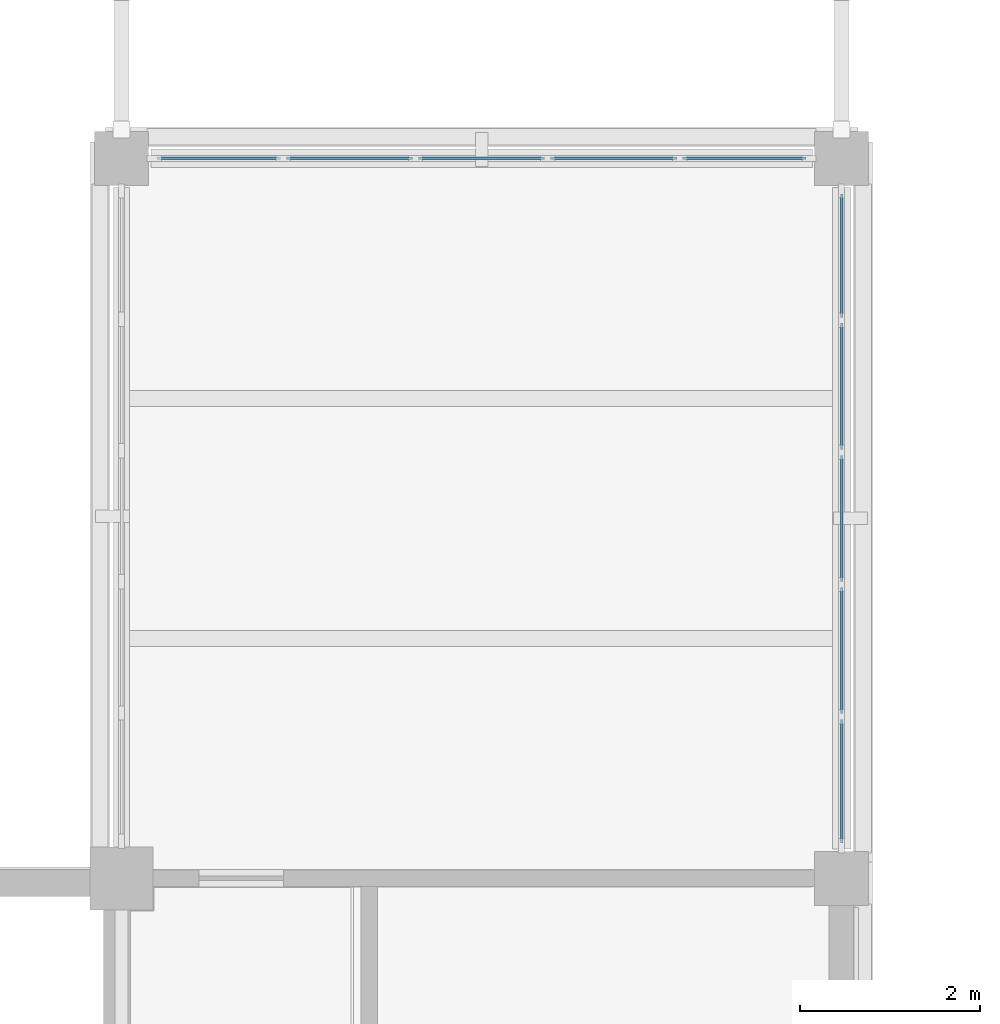
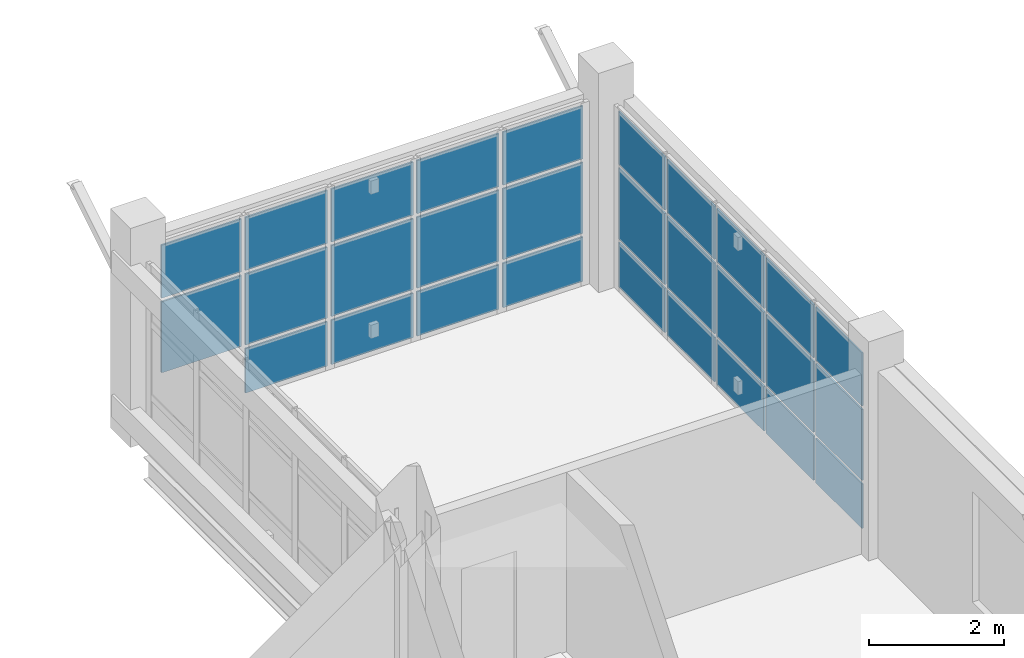
# One storey, part 16 of 35: 29 plates, 2 elements without a shape of their own.
"""IFC4 building model written with IfcOpenShell, lengths in metres."""

import ifcopenshell
import ifcopenshell.guid

model = None  # the IFC model being written
_history = None  # IfcOwnerHistory: only IFC2X3 demands one
_inside = {}  # id of a spatial element -> (the spatial element, [elements in it])
_under = {}  # id of a project, library or spatial element -> (it, [spatial elements below it])
_declared = {}  # id of a project -> (the project, [libraries it declares])
_typed = {}  # id of a type object -> (the type object, [elements of that type])
_made_of = {}  # id of a material, layer set ... -> (it, [elements and type objects made of it])


def new_model(schema):
    """Start an empty IFC model of exactly this schema.

    Asked for "IFC4X3", IfcOpenShell would pick the latest addendum, in which some entities
    have other attributes; the version numbers below select the first issue.
    IFC2X3 requires an IfcOwnerHistory on every rooted entity: one is made here for all.
    """
    global model, _history
    if schema == "IFC4X3":
        model = ifcopenshell.file(schema_version=(4, 3, 0, 0))
    else:
        model = ifcopenshell.file(schema=schema)
    _inside.clear()
    _under.clear()
    _declared.clear()
    _typed.clear()
    _made_of.clear()
    _history = None
    if model.schema == "IFC2X3":
        org = make("IfcOrganization", Name="unknown")
        user = make(
            "IfcPersonAndOrganization",
            ThePerson=make("IfcPerson", FamilyName="unknown"),
            TheOrganization=org,
        )
        app = make(
            "IfcApplication",
            ApplicationDeveloper=org,
            Version="unknown",
            ApplicationFullName="unknown",
            ApplicationIdentifier="unknown",
        )
        _history = make(
            "IfcOwnerHistory",
            OwningUser=user,
            OwningApplication=app,
            ChangeAction="ADDED",
            CreationDate=0,
        )
    return model


def make(cls, **values):
    """One entity of the class cls with the attributes given. An attribute that is None is left unset."""
    return model.create_entity(
        cls, **{name: value for name, value in values.items() if value is not None}
    )


def rooted(cls, **values):
    """An entity with a GlobalId (a new one), such as an element, a storey or a relation."""
    return make(cls, GlobalId=ifcopenshell.guid.new(), OwnerHistory=_history, **values)


def si_unit(unit_type, name, prefix=None):
    """IfcSIUnit, for example si_unit("LENGTHUNIT", "METRE", prefix="MILLI")."""
    return make("IfcSIUnit", UnitType=unit_type, Prefix=prefix, Name=name)


def derived_unit(unit_type, elements):
    """IfcDerivedUnit: a product of units, each with its exponent."""
    return make(
        "IfcDerivedUnit",
        Elements=[
            make("IfcDerivedUnitElement", Unit=unit, Exponent=power)
            for unit, power in elements
        ],
        UnitType=unit_type,
    )


def assignment(units):
    """IfcUnitAssignment: the units of a project."""
    return None if units is None else make("IfcUnitAssignment", Units=units)


def point(xyz):
    """IfcCartesianPoint."""
    return None if xyz is None else make("IfcCartesianPoint", Coordinates=xyz)


def direction(xyz):
    """IfcDirection."""
    return None if xyz is None else make("IfcDirection", DirectionRatios=xyz)


def frame(location, z_axis=None, x_axis=None):
    """IfcAxis2Placement3D, a coordinate frame: its origin and axes. An axis left out is left unset."""
    return make(
        "IfcAxis2Placement3D",
        Location=point(location),
        Axis=direction(z_axis),
        RefDirection=direction(x_axis),
    )


def frame_2d(location, x_axis=None):
    """IfcAxis2Placement2D, a coordinate frame in the plane: its origin and x axis."""
    return make(
        "IfcAxis2Placement2D", Location=point(location), RefDirection=direction(x_axis)
    )


def origin():
    """The frame at (0, 0, 0) with its axes left unset."""
    return frame((0.0, 0.0, 0.0))


def origin_2d():
    """The frame at (0, 0) in the plane with its x axis left unset."""
    return frame_2d((0.0, 0.0))


def place(relative_to, where):
    """IfcLocalPlacement: puts the frame where relative to a parent placement (None: the world)."""
    return make(
        "IfcLocalPlacement", PlacementRelTo=relative_to, RelativePlacement=where
    )


def context(
    kind, dimensions, precision=None, world=None, true_north=None, identifier=None
):
    """IfcGeometricRepresentationContext, for example the 3D "Model" context."""
    return make(
        "IfcGeometricRepresentationContext",
        ContextIdentifier=identifier,
        ContextType=kind,
        CoordinateSpaceDimension=dimensions,
        Precision=precision,
        WorldCoordinateSystem=world,
        TrueNorth=true_north,
    )


def subcontext(parent, identifier, kind, view, scale=None):
    """IfcGeometricRepresentationSubContext, for example "Body" below "Model"."""
    return make(
        "IfcGeometricRepresentationSubContext",
        ContextIdentifier=identifier,
        ContextType=kind,
        ParentContext=parent,
        TargetScale=scale,
        TargetView=view,
    )


def project(units=None, contexts=None):
    """IfcProject with its units and contexts."""
    return rooted(
        "IfcProject",
        Name="project",
        RepresentationContexts=contexts,
        UnitsInContext=assignment(units),
    )


def spatial(cls, under=None, at=None, **own):
    """A site, building, storey or space (cls), placed at a placement, below another one or the project."""
    s = rooted(cls, ObjectPlacement=at, **own)
    if under is not None:
        _under.setdefault(under.id(), (under, []))[1].append(s)
    return s


def profile(cls, at=None, kind="AREA", **sizes):
    """A parametric profile (cls). Its sizes go by their IFC names, for example OverallWidth=200.0."""
    return make(cls, ProfileType=kind, Position=at, **sizes)


def rectangle(**sizes):
    """IfcRectangleProfileDef."""
    return profile("IfcRectangleProfileDef", **sizes)


def extrude(swept, where, along, depth):
    """IfcExtrudedAreaSolid: the profile swept, set in the frame where, extruded along a direction by depth."""
    return make(
        "IfcExtrudedAreaSolid",
        SweptArea=swept,
        Position=where,
        ExtrudedDirection=direction(along),
        Depth=depth,
    )


def shape(context_of_items, identifier, shape_type, items):
    """IfcShapeRepresentation: the items that make up one representation, for example the "Body"."""
    return make(
        "IfcShapeRepresentation",
        ContextOfItems=context_of_items,
        RepresentationIdentifier=identifier,
        RepresentationType=shape_type,
        Items=items,
    )


def material(Name=None, Category=None):
    """IfcMaterial."""
    return make("IfcMaterial", Name=Name, Category=Category)


def layer(
    of_material, thickness, ventilated=None, Name=None, Category=None, Priority=None
):
    """IfcMaterialLayer: one layer of a wall or slab, of a material (None: an air gap)."""
    return make(
        "IfcMaterialLayer",
        Material=of_material,
        LayerThickness=thickness,
        IsVentilated=ventilated,
        Name=Name,
        Category=Category,
        Priority=Priority,
    )


def layer_set(layers, Name=None):
    """IfcMaterialLayerSet."""
    return make("IfcMaterialLayerSet", MaterialLayers=layers, LayerSetName=Name)


def made_of(thing, what):
    """Note that an element or type object is made of a material, layer set ...; save() writes the relation."""
    if what is not None:
        _made_of.setdefault(what.id(), (what, []))[1].append(thing)
    return thing


def type_object(cls, material=None, **own):
    """A type object (cls), such as IfcWallType, which elements share."""
    return made_of(rooted(cls, **own), material)


def element(
    cls,
    number,
    at=None,
    inside=None,
    cuts=None,
    type_object=None,
    material=None,
    context=None,
    identifier="Body",
    shape_type=None,
    held_by="IfcProductDefinitionShape",
    body=None,
    shapes=None,
    **own,
):
    """One element of the class cls, such as IfcWall. Its Tag is "e" and its number.

    at: its placement. inside: the storey or other place that contains it. cuts: it is an
    opening in that element (IfcRelVoidsElement). A single representation is given by context,
    identifier, shape_type and body (its items); several are given by shapes. held_by: the class
    of the entity that holds the representations. save() writes the other relations.
    """
    e = rooted(cls, Tag="e%d" % number, ObjectPlacement=at, **own)
    if body is not None:
        shapes = [shape(context, identifier, shape_type, body)]
    if shapes is not None:
        e.Representation = make(held_by, Representations=shapes)
    if inside is not None:
        _inside.setdefault(inside.id(), (inside, []))[1].append(e)
    if cuts is not None:
        rooted(
            "IfcRelVoidsElement", RelatingBuildingElement=cuts, RelatedOpeningElement=e
        )
    if type_object is not None:
        _typed.setdefault(type_object.id(), (type_object, []))[1].append(e)
    return made_of(e, material)


def aggregate(whole, parts):
    """IfcRelAggregates: a whole, such as a stair, and the parts it consists of."""
    return rooted("IfcRelAggregates", RelatingObject=whole, RelatedObjects=parts)


def save(model, path):
    """Write the relations noted so far, then the file.

    IfcRelAggregates (storeys below a building ...), IfcRelContainedInSpatialStructure (elements
    in a storey), IfcRelDefinesByType, IfcRelAssociatesMaterial and IfcRelDeclares: one each for
    every whole, place, type object, material and project.
    """
    for whole, parts in _under.values():
        aggregate(whole, parts)
    for where, things in _inside.values():
        rooted(
            "IfcRelContainedInSpatialStructure",
            RelatedElements=things,
            RelatingStructure=where,
        )
    for kind, things in _typed.values():
        rooted("IfcRelDefinesByType", RelatedObjects=things, RelatingType=kind)
    for what, things in _made_of.values():
        rooted("IfcRelAssociatesMaterial", RelatedObjects=things, RelatingMaterial=what)
    for by, libraries in _declared.values():
        rooted("IfcRelDeclares", RelatingContext=by, RelatedDefinitions=libraries)
    model.write(path)


model = new_model("IFC4")

# Units and contexts
model_context = context("Model", 3, precision=1e-05, world=origin(), true_north=direction((0.0, 1.0)))
body_context = subcontext(model_context, "Body", "Model", "MODEL_VIEW")
ifc_project = project(units=[si_unit("LENGTHUNIT", "METRE"), si_unit("AREAUNIT", "SQUARE_METRE"), si_unit("VOLUMEUNIT", "CUBIC_METRE"), si_unit("PLANEANGLEUNIT", "RADIAN"), si_unit("MASSUNIT", "GRAM", prefix="KILO"), derived_unit("THERMALTRANSMITTANCEUNIT", [(si_unit("MASSUNIT", "GRAM", prefix="KILO"), 1), (si_unit("TIMEUNIT", "SECOND"), -3), (si_unit("THERMODYNAMICTEMPERATUREUNIT", "KELVIN"), -1)])], contexts=[model_context])

# Site, building, storey
site_placement = place(None, origin())
site = spatial("IfcSite", under=ifc_project, at=site_placement, CompositionType="ELEMENT")
building_placement = place(site_placement, origin())
building = spatial("IfcBuilding", under=site, at=building_placement, Name="Veyamyaing Civic Hall", CompositionType="ELEMENT")
storey_placement = place(building_placement, frame((0.0, 0.0, 21.780029296875)))
storey = spatial("IfcBuildingStorey", under=building, at=storey_placement, Name="L05", CompositionType="ELEMENT", Elevation=21.780029296875)

# Curtain wall, plates
ifc_material_1 = material(Name="Anodised aluminium 6063-T6", Category="aluminium")
ifc_layer_1 = layer(ifc_material_1, 0.159912109375, Name="Anodised aluminium 6063-T6")
ifc_layer_set_1 = layer_set([ifc_layer_1], Name="Anodised aluminium 6063-T6")
curtain_wall_type = type_object("IfcCurtainWallType", Name="CW-09", PredefinedType="NOTDEFINED", material=ifc_layer_set_1)
curtain_wall_1_placement = place(storey_placement, origin())
curtain_wall_1 = element("IfcCurtainWall", 1, at=curtain_wall_1_placement, inside=storey, type_object=curtain_wall_type, Name="Unitized curtain wall CW-09 L05 N 6.14", PredefinedType="NOTDEFINED")
ifc_material_2 = material(Name="Low-E insulated glass", Category="glass")
ifc_layer_2 = layer(ifc_material_2, 0.028076171875, Name="Low-E insulated glass")
ifc_layer_set_2 = layer_set([ifc_layer_2], Name="Low-E insulated glass")
plate_type = type_object("IfcPlateType", Name="CWP-01", PredefinedType="CURTAIN_PANEL", material=ifc_layer_set_2)
plate_1_placement = place(storey_placement, frame((41.080322265625, 112.0, 0.9326171875), z_axis=(0.0, 0.0, 1.0), x_axis=(1.0, 0.0, 0.0)))
plate_1 = element("IfcPlate", 2, at=plate_1_placement, type_object=plate_type, Name="CW-09 panel 1.2", PredefinedType="CURTAIN_PANEL", context=body_context, shape_type="SweptSolid", body=[
    extrude(rectangle(XDim=1.37060546875, YDim=0.028076171875, at=origin_2d()), origin(), (0.0, 0.0, 1.0), 1.282470703125),
])
plate_2_placement = place(storey_placement, frame((41.080322265625, 112.0, 2.27978515625), z_axis=(0.0, 0.0, 1.0), x_axis=(1.0, 0.0, 0.0)))
plate_2 = element("IfcPlate", 3, at=plate_2_placement, type_object=plate_type, Name="CW-09 panel 1.3", PredefinedType="CURTAIN_PANEL", context=body_context, shape_type="SweptSolid", body=[
    extrude(rectangle(XDim=1.37060546875, YDim=0.028076171875, at=origin_2d()), origin(), (0.0, 0.0, 1.0), 0.960205078125),
])
plate_3_placement = place(storey_placement, frame((42.531982421875, 112.0, 0.06494140625), z_axis=(0.0, 0.0, 1.0), x_axis=(1.0, 0.0, 0.0)))
plate_3 = element("IfcPlate", 4, at=plate_3_placement, type_object=plate_type, Name="CW-09 panel 2.1", PredefinedType="CURTAIN_PANEL", context=body_context, shape_type="SweptSolid", body=[
    extrude(rectangle(XDim=1.403076171875, YDim=0.028076171875, at=origin_2d()), origin(), (0.0, 0.0, 1.0), 0.802490234375),
])
plate_4_placement = place(storey_placement, frame((42.531982421875, 112.0, 0.9326171875), z_axis=(0.0, 0.0, 1.0), x_axis=(1.0, 0.0, 0.0)))
plate_4 = element("IfcPlate", 5, at=plate_4_placement, type_object=plate_type, Name="CW-09 panel 2.2", PredefinedType="CURTAIN_PANEL", context=body_context, shape_type="SweptSolid", body=[
    extrude(rectangle(XDim=1.403076171875, YDim=0.028076171875, at=origin_2d()), origin(), (0.0, 0.0, 1.0), 1.282470703125),
])
plate_5_placement = place(storey_placement, frame((42.531982421875, 112.0, 2.27978515625), z_axis=(0.0, 0.0, 1.0), x_axis=(1.0, 0.0, 0.0)))
plate_5 = element("IfcPlate", 6, at=plate_5_placement, type_object=plate_type, Name="CW-09 panel 2.3", PredefinedType="CURTAIN_PANEL", context=body_context, shape_type="SweptSolid", body=[
    extrude(rectangle(XDim=1.403076171875, YDim=0.028076171875, at=origin_2d()), origin(), (0.0, 0.0, 1.0), 0.960205078125),
])
plate_6_placement = place(storey_placement, frame((44.0, 112.0, 0.06494140625), z_axis=(0.0, 0.0, 1.0), x_axis=(1.0, 0.0, 0.0)))
plate_6 = element("IfcPlate", 7, at=plate_6_placement, type_object=plate_type, Name="CW-09 panel 3.1", PredefinedType="CURTAIN_PANEL", context=body_context, shape_type="SweptSolid", body=[
    extrude(rectangle(XDim=1.403076171875, YDim=0.028076171875, at=origin_2d()), origin(), (0.0, 0.0, 1.0), 0.802490234375),
])
plate_7_placement = place(storey_placement, frame((44.0, 112.0, 0.9326171875), z_axis=(0.0, 0.0, 1.0), x_axis=(1.0, 0.0, 0.0)))
plate_7 = element("IfcPlate", 8, at=plate_7_placement, type_object=plate_type, Name="CW-09 panel 3.2", PredefinedType="CURTAIN_PANEL", context=body_context, shape_type="SweptSolid", body=[
    extrude(rectangle(XDim=1.403076171875, YDim=0.028076171875, at=origin_2d()), origin(), (0.0, 0.0, 1.0), 1.282470703125),
])
plate_8_placement = place(storey_placement, frame((44.0, 112.0, 2.27978515625), z_axis=(0.0, 0.0, 1.0), x_axis=(1.0, 0.0, 0.0)))
plate_8 = element("IfcPlate", 9, at=plate_8_placement, type_object=plate_type, Name="CW-09 panel 3.3", PredefinedType="CURTAIN_PANEL", context=body_context, shape_type="SweptSolid", body=[
    extrude(rectangle(XDim=1.403076171875, YDim=0.028076171875, at=origin_2d()), origin(), (0.0, 0.0, 1.0), 0.960205078125),
])
plate_9_placement = place(storey_placement, frame((45.468017578125, 112.0, 0.06494140625), z_axis=(0.0, 0.0, 1.0), x_axis=(1.0, 0.0, 0.0)))
plate_9 = element("IfcPlate", 10, at=plate_9_placement, type_object=plate_type, Name="CW-09 panel 4.1", PredefinedType="CURTAIN_PANEL", context=body_context, shape_type="SweptSolid", body=[
    extrude(rectangle(XDim=1.403076171875, YDim=0.028076171875, at=origin_2d()), origin(), (0.0, 0.0, 1.0), 0.802490234375),
])
plate_10_placement = place(storey_placement, frame((45.468017578125, 112.0, 0.9326171875), z_axis=(0.0, 0.0, 1.0), x_axis=(1.0, 0.0, 0.0)))
plate_10 = element("IfcPlate", 11, at=plate_10_placement, type_object=plate_type, Name="CW-09 panel 4.2", PredefinedType="CURTAIN_PANEL", context=body_context, shape_type="SweptSolid", body=[
    extrude(rectangle(XDim=1.403076171875, YDim=0.028076171875, at=origin_2d()), origin(), (0.0, 0.0, 1.0), 1.282470703125),
])
plate_11_placement = place(storey_placement, frame((45.468017578125, 112.0, 2.27978515625), z_axis=(0.0, 0.0, 1.0), x_axis=(1.0, 0.0, 0.0)))
plate_11 = element("IfcPlate", 12, at=plate_11_placement, type_object=plate_type, Name="CW-09 panel 4.3", PredefinedType="CURTAIN_PANEL", context=body_context, shape_type="SweptSolid", body=[
    extrude(rectangle(XDim=1.403076171875, YDim=0.028076171875, at=origin_2d()), origin(), (0.0, 0.0, 1.0), 0.960205078125),
])
plate_12_placement = place(storey_placement, frame((46.919677734375, 112.0, 0.06494140625), z_axis=(0.0, 0.0, 1.0), x_axis=(1.0, 0.0, 0.0)))
plate_12 = element("IfcPlate", 13, at=plate_12_placement, type_object=plate_type, Name="CW-09 panel 5.1", PredefinedType="CURTAIN_PANEL", context=body_context, shape_type="SweptSolid", body=[
    extrude(rectangle(XDim=1.37060546875, YDim=0.028076171875, at=origin_2d()), origin(), (0.0, 0.0, 1.0), 0.802490234375),
])
plate_13_placement = place(storey_placement, frame((46.919677734375, 112.0, 0.9326171875), z_axis=(0.0, 0.0, 1.0), x_axis=(1.0, 0.0, 0.0)))
plate_13 = element("IfcPlate", 14, at=plate_13_placement, type_object=plate_type, Name="CW-09 panel 5.2", PredefinedType="CURTAIN_PANEL", context=body_context, shape_type="SweptSolid", body=[
    extrude(rectangle(XDim=1.37060546875, YDim=0.028076171875, at=origin_2d()), origin(), (0.0, 0.0, 1.0), 1.282470703125),
])
plate_14_placement = place(storey_placement, frame((46.919677734375, 112.0, 2.27978515625), z_axis=(0.0, 0.0, 1.0), x_axis=(1.0, 0.0, 0.0)))
plate_14 = element("IfcPlate", 15, at=plate_14_placement, type_object=plate_type, Name="CW-09 panel 5.3", PredefinedType="CURTAIN_PANEL", context=body_context, shape_type="SweptSolid", body=[
    extrude(rectangle(XDim=1.37060546875, YDim=0.028076171875, at=origin_2d()), origin(), (0.0, 0.0, 1.0), 0.960205078125),
])
aggregate(curtain_wall_1, [plate_1, plate_2, plate_3, plate_4, plate_5, plate_6, plate_7, plate_8, plate_9, plate_10, plate_11, plate_12, plate_13, plate_14])

curtain_wall_2_placement = place(storey_placement, origin())
curtain_wall_2 = element("IfcCurtainWall", 16, at=curtain_wall_2_placement, inside=storey, type_object=curtain_wall_type, Name="Unitized curtain wall CW-09 L05 E 6.14", PredefinedType="NOTDEFINED")
plate_15_placement = place(storey_placement, frame((48.0, 105.080322265625, 0.06494140625), z_axis=(0.0, 0.0, 1.0), x_axis=(0.0, 1.0, 0.0)))
plate_15 = element("IfcPlate", 17, at=plate_15_placement, type_object=plate_type, Name="CW-09 panel 1.1", PredefinedType="CURTAIN_PANEL", context=body_context, shape_type="SweptSolid", body=[
    extrude(rectangle(XDim=1.37060546875, YDim=0.028076171875, at=origin_2d()), origin(), (0.0, 0.0, 1.0), 0.802490234375),
])
plate_16_placement = place(storey_placement, frame((48.0, 105.080322265625, 0.9326171875), z_axis=(0.0, 0.0, 1.0), x_axis=(0.0, 1.0, 0.0)))
plate_16 = element("IfcPlate", 18, at=plate_16_placement, type_object=plate_type, Name="CW-09 panel 1.2", PredefinedType="CURTAIN_PANEL", context=body_context, shape_type="SweptSolid", body=[
    extrude(rectangle(XDim=1.37060546875, YDim=0.028076171875, at=origin_2d()), origin(), (0.0, 0.0, 1.0), 1.282470703125),
])
plate_17_placement = place(storey_placement, frame((48.0, 105.080322265625, 2.27978515625), z_axis=(0.0, 0.0, 1.0), x_axis=(0.0, 1.0, 0.0)))
plate_17 = element("IfcPlate", 19, at=plate_17_placement, type_object=plate_type, Name="CW-09 panel 1.3", PredefinedType="CURTAIN_PANEL", context=body_context, shape_type="SweptSolid", body=[
    extrude(rectangle(XDim=1.37060546875, YDim=0.028076171875, at=origin_2d()), origin(), (0.0, 0.0, 1.0), 0.960205078125),
])
plate_18_placement = place(storey_placement, frame((48.0, 106.531982421875, 0.06494140625), z_axis=(0.0, 0.0, 1.0), x_axis=(0.0, 1.0, 0.0)))
plate_18 = element("IfcPlate", 20, at=plate_18_placement, type_object=plate_type, Name="CW-09 panel 2.1", PredefinedType="CURTAIN_PANEL", context=body_context, shape_type="SweptSolid", body=[
    extrude(rectangle(XDim=1.403076171875, YDim=0.028076171875, at=origin_2d()), origin(), (0.0, 0.0, 1.0), 0.802490234375),
])
plate_19_placement = place(storey_placement, frame((48.0, 106.531982421875, 0.9326171875), z_axis=(0.0, 0.0, 1.0), x_axis=(0.0, 1.0, 0.0)))
plate_19 = element("IfcPlate", 21, at=plate_19_placement, type_object=plate_type, Name="CW-09 panel 2.2", PredefinedType="CURTAIN_PANEL", context=body_context, shape_type="SweptSolid", body=[
    extrude(rectangle(XDim=1.403076171875, YDim=0.028076171875, at=origin_2d()), origin(), (0.0, 0.0, 1.0), 1.282470703125),
])
plate_20_placement = place(storey_placement, frame((48.0, 106.531982421875, 2.27978515625), z_axis=(0.0, 0.0, 1.0), x_axis=(0.0, 1.0, 0.0)))
plate_20 = element("IfcPlate", 22, at=plate_20_placement, type_object=plate_type, Name="CW-09 panel 2.3", PredefinedType="CURTAIN_PANEL", context=body_context, shape_type="SweptSolid", body=[
    extrude(rectangle(XDim=1.403076171875, YDim=0.028076171875, at=origin_2d()), origin(), (0.0, 0.0, 1.0), 0.960205078125),
])
plate_21_placement = place(storey_placement, frame((48.0, 108.0, 0.06494140625), z_axis=(0.0, 0.0, 1.0), x_axis=(0.0, 1.0, 0.0)))
plate_21 = element("IfcPlate", 23, at=plate_21_placement, type_object=plate_type, Name="CW-09 panel 3.1", PredefinedType="CURTAIN_PANEL", context=body_context, shape_type="SweptSolid", body=[
    extrude(rectangle(XDim=1.403076171875, YDim=0.028076171875, at=origin_2d()), origin(), (0.0, 0.0, 1.0), 0.802490234375),
])
plate_22_placement = place(storey_placement, frame((48.0, 108.0, 0.9326171875), z_axis=(0.0, 0.0, 1.0), x_axis=(0.0, 1.0, 0.0)))
plate_22 = element("IfcPlate", 24, at=plate_22_placement, type_object=plate_type, Name="CW-09 panel 3.2", PredefinedType="CURTAIN_PANEL", context=body_context, shape_type="SweptSolid", body=[
    extrude(rectangle(XDim=1.403076171875, YDim=0.028076171875, at=origin_2d()), origin(), (0.0, 0.0, 1.0), 1.282470703125),
])
plate_23_placement = place(storey_placement, frame((48.0, 108.0, 2.27978515625), z_axis=(0.0, 0.0, 1.0), x_axis=(0.0, 1.0, 0.0)))
plate_23 = element("IfcPlate", 25, at=plate_23_placement, type_object=plate_type, Name="CW-09 panel 3.3", PredefinedType="CURTAIN_PANEL", context=body_context, shape_type="SweptSolid", body=[
    extrude(rectangle(XDim=1.403076171875, YDim=0.028076171875, at=origin_2d()), origin(), (0.0, 0.0, 1.0), 0.960205078125),
])
plate_24_placement = place(storey_placement, frame((48.0, 109.468017578125, 0.06494140625), z_axis=(0.0, 0.0, 1.0), x_axis=(0.0, 1.0, 0.0)))
plate_24 = element("IfcPlate", 26, at=plate_24_placement, type_object=plate_type, Name="CW-09 panel 4.1", PredefinedType="CURTAIN_PANEL", context=body_context, shape_type="SweptSolid", body=[
    extrude(rectangle(XDim=1.403076171875, YDim=0.028076171875, at=origin_2d()), origin(), (0.0, 0.0, 1.0), 0.802490234375),
])
plate_25_placement = place(storey_placement, frame((48.0, 109.468017578125, 0.9326171875), z_axis=(0.0, 0.0, 1.0), x_axis=(0.0, 1.0, 0.0)))
plate_25 = element("IfcPlate", 27, at=plate_25_placement, type_object=plate_type, Name="CW-09 panel 4.2", PredefinedType="CURTAIN_PANEL", context=body_context, shape_type="SweptSolid", body=[
    extrude(rectangle(XDim=1.403076171875, YDim=0.028076171875, at=origin_2d()), origin(), (0.0, 0.0, 1.0), 1.282470703125),
])
plate_26_placement = place(storey_placement, frame((48.0, 109.468017578125, 2.27978515625), z_axis=(0.0, 0.0, 1.0), x_axis=(0.0, 1.0, 0.0)))
plate_26 = element("IfcPlate", 28, at=plate_26_placement, type_object=plate_type, Name="CW-09 panel 4.3", PredefinedType="CURTAIN_PANEL", context=body_context, shape_type="SweptSolid", body=[
    extrude(rectangle(XDim=1.403076171875, YDim=0.028076171875, at=origin_2d()), origin(), (0.0, 0.0, 1.0), 0.960205078125),
])
plate_27_placement = place(storey_placement, frame((48.0, 110.919677734375, 0.06494140625), z_axis=(0.0, 0.0, 1.0), x_axis=(0.0, 1.0, 0.0)))
plate_27 = element("IfcPlate", 29, at=plate_27_placement, type_object=plate_type, Name="CW-09 panel 5.1", PredefinedType="CURTAIN_PANEL", context=body_context, shape_type="SweptSolid", body=[
    extrude(rectangle(XDim=1.37060546875, YDim=0.028076171875, at=origin_2d()), origin(), (0.0, 0.0, 1.0), 0.802490234375),
])
plate_28_placement = place(storey_placement, frame((48.0, 110.919677734375, 0.9326171875), z_axis=(0.0, 0.0, 1.0), x_axis=(0.0, 1.0, 0.0)))
plate_28 = element("IfcPlate", 30, at=plate_28_placement, type_object=plate_type, Name="CW-09 panel 5.2", PredefinedType="CURTAIN_PANEL", context=body_context, shape_type="SweptSolid", body=[
    extrude(rectangle(XDim=1.37060546875, YDim=0.028076171875, at=origin_2d()), origin(), (0.0, 0.0, 1.0), 1.282470703125),
])
plate_29_placement = place(storey_placement, frame((48.0, 110.919677734375, 2.27978515625), z_axis=(0.0, 0.0, 1.0), x_axis=(0.0, 1.0, 0.0)))
plate_29 = element("IfcPlate", 31, at=plate_29_placement, type_object=plate_type, Name="CW-09 panel 5.3", PredefinedType="CURTAIN_PANEL", context=body_context, shape_type="SweptSolid", body=[
    extrude(rectangle(XDim=1.37060546875, YDim=0.028076171875, at=origin_2d()), origin(), (0.0, 0.0, 1.0), 0.960205078125),
])
aggregate(curtain_wall_2, [plate_15, plate_16, plate_17, plate_18, plate_19, plate_20, plate_21, plate_22, plate_23, plate_24, plate_25, plate_26, plate_27, plate_28, plate_29])

save(model, "model.ifc")
